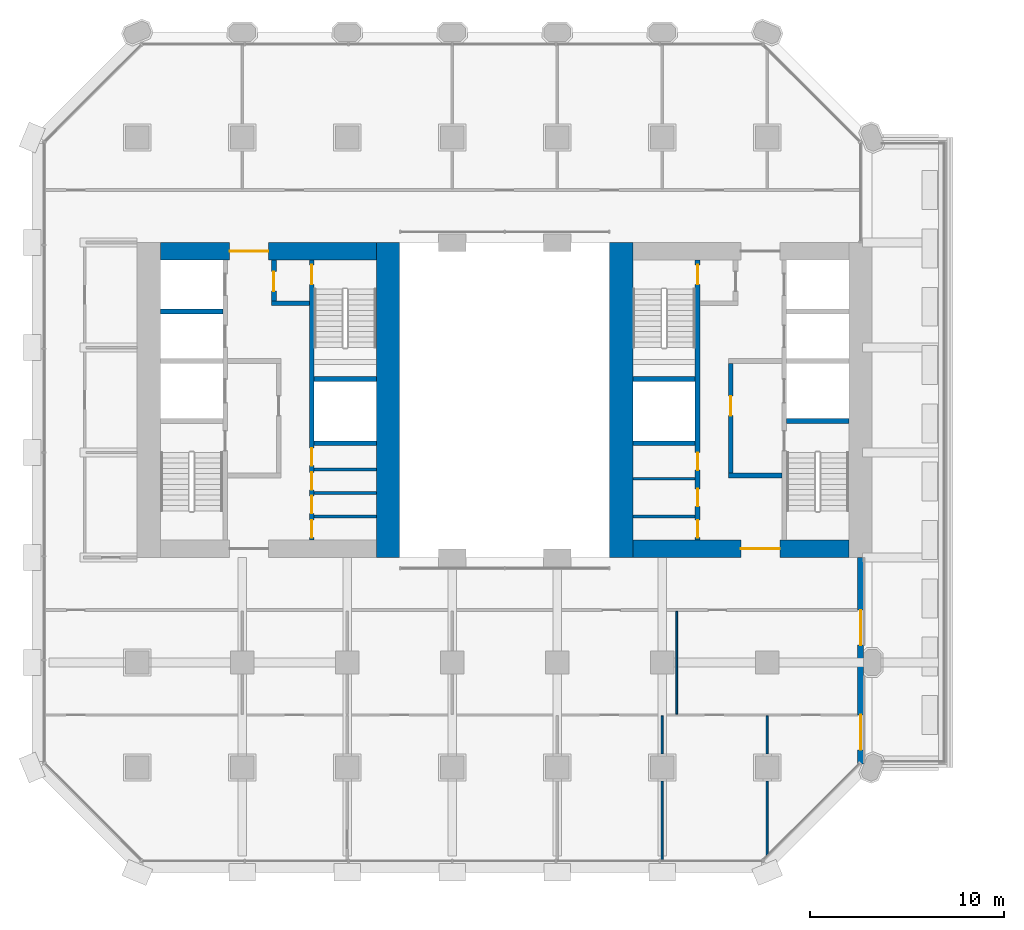
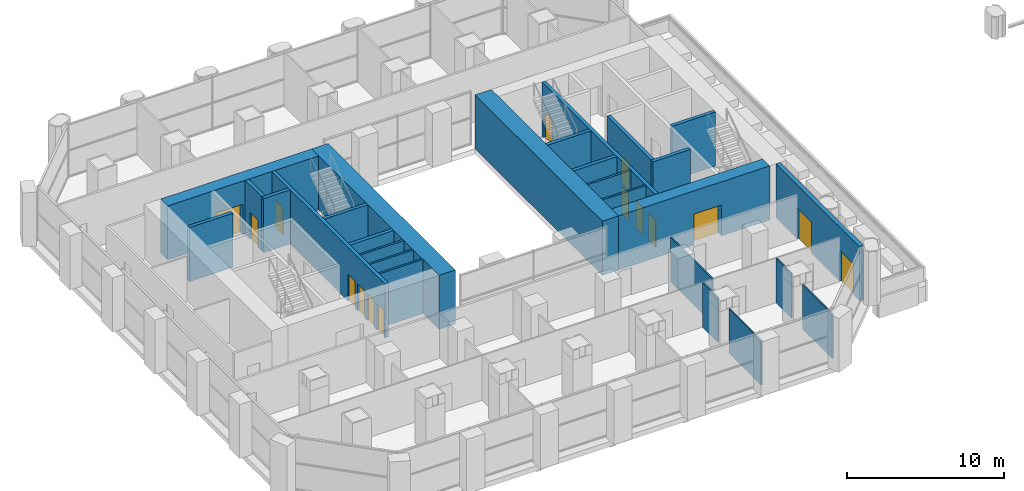
# One storey, part 13 of 23: 27 walls, 15 doors, 15 openings.
"""IFC4 building model written with IfcOpenShell, lengths in metres."""

from ifc_helpers import new_model, si_unit, direction, frame, frame_2d, origin, place, context, subcontext, project, spatial, rectangle, extrude, material, layer, layer_set, type_object, element, fill, save


model = new_model("IFC4")

# Units and contexts
model_context = context("Model", 3, precision=1e-05, world=origin(), true_north=direction((0.0, 1.0)))
body_context = subcontext(model_context, "Body", "Model", "MODEL_VIEW")
ifc_project = project(units=[si_unit("LENGTHUNIT", "METRE"), si_unit("AREAUNIT", "SQUARE_METRE"), si_unit("VOLUMEUNIT", "CUBIC_METRE"), si_unit("PLANEANGLEUNIT", "RADIAN"), si_unit("MASSUNIT", "GRAM", prefix="KILO")], contexts=[model_context])

# Site, building, storey
site_placement = place(None, origin())
site = spatial("IfcSite", under=ifc_project, at=site_placement, CompositionType="ELEMENT")
building_placement = place(site_placement, origin())
building = spatial("IfcBuilding", under=site, at=building_placement, Name="Tabaq Tower and Sports Hall", CompositionType="ELEMENT")
storey_placement = place(building_placement, frame((0.0, 0.0, 29.10009765625)))
storey = spatial("IfcBuildingStorey", under=building, at=storey_placement, Name="L05", CompositionType="ELEMENT", Elevation=29.10009765625)

# Walls
ifc_material_1 = material(Name="Blockwork", Category="masonry")
ifc_layer_1 = layer(ifc_material_1, 0.14990234375)
ifc_layer_set_1 = layer_set([ifc_layer_1], Name="Core room partition 150 Blockwork")
wall_type_1 = type_object("IfcWallType", Name="Core room partition 150 Blockwork", PredefinedType="PARTITIONING", material=ifc_layer_set_1)
for number, where, z_axis, x_axis, name in (
    (1, (14.5, 18.31201171875, 0.0), (0.0, 0.0, 1.0), (1.0, 0.0, 0.0), "Core room partition W L05"),
    (2, (14.5, 19.52490234375, 0.0), (0.0, 0.0, 1.0), (1.0, 0.0, 0.0), "Core room partition W L05"),
    (3, (14.5, 20.737060546875, 0.0), (0.0, 0.0, 1.0), (1.0, 0.0, 0.0), "Core room partition W L05"),
):
    element("IfcWall", number, at=place(storey_placement, frame(where, z_axis=z_axis, x_axis=x_axis)), inside=storey, type_object=wall_type_1, Name=name, PredefinedType="PARTITIONING", context=body_context, shape_type="SweptSolid", body=[
        extrude(rectangle(XDim=3.199951171875, YDim=0.14990234375, at=frame_2d((1.60009765625, 0.0))), origin(), (0.0, 0.0, 1.0), 4.199951171875),
    ])
for number, where, z_axis, x_axis, name in (
    (4, (30.89990234375, 18.31201171875, 0.0), (0.0, 0.0, 1.0), (1.0, 0.0, 0.0), "Core room partition E L05"),
    (5, (30.89990234375, 20.251953125, 0.0), (0.0, 0.0, 1.0), (1.0, 0.0, 0.0), "Core room partition E L05"),
):
    element("IfcWall", number, at=place(storey_placement, frame(where, z_axis=z_axis, x_axis=x_axis)), inside=storey, type_object=wall_type_1, Name=name, PredefinedType="PARTITIONING", context=body_context, shape_type="SweptSolid", body=[
        extrude(rectangle(XDim=3.2001953125, YDim=0.14990234375, at=frame_2d((1.60009765625, 0.0))), origin(), (0.0, 0.0, 1.0), 4.199951171875),
    ])
ifc_material_2 = material(Name="Concrete C60/75", Category="concrete")
ifc_layer_2 = layer(ifc_material_2, 1.199951171875)
ifc_layer_set_2 = layer_set([ifc_layer_2], Name="Core wall 1200 Concrete C60/75")
wall_type_2 = type_object("IfcWallType", Name="Core wall 1200 Concrete C60/75", PredefinedType="SOLIDWALL", material=ifc_layer_set_2)
for number, where, z_axis, x_axis, name in (
    (6, (18.300048828125, 32.39990234375, 0.0), (0.0, 0.0, 1.0), (0.0, -1.0, 0.0), "Core wall W L05"),
    (7, (30.300048828125, 16.199951171875, 0.0), (0.0, 0.0, 1.0), (0.0, 1.0, 0.0), "Core wall E L05"),
):
    element("IfcWall", number, at=place(storey_placement, frame(where, z_axis=z_axis, x_axis=x_axis)), inside=storey, type_object=wall_type_2, Name=name, PredefinedType="SOLIDWALL", context=body_context, shape_type="SweptSolid", body=[
        extrude(rectangle(XDim=16.199951171875, YDim=1.199951171875, at=frame_2d((8.10009765625, 0.0))), origin(), (0.0, 0.0, 1.0), 4.199951171875),
    ])

# Wall, opening, door
ifc_material_3 = material(Name="Concrete C60/75", Category="concrete")
ifc_layer_3 = layer(ifc_material_3, 0.89990234375)
ifc_layer_set_3 = layer_set([ifc_layer_3], Name="Core wall 900 Concrete C60/75")
wall_type_3 = type_object("IfcWallType", Name="Core wall 900 Concrete C60/75", PredefinedType="SOLIDWALL", material=ifc_layer_set_3)
wall_1_placement = place(storey_placement, frame((6.60009765625, 31.949951171875, 0.0), z_axis=(0.0, 0.0, 1.0), x_axis=(1.0, 0.0, 0.0)))
wall_1 = element("IfcWall", 8, at=wall_1_placement, inside=storey, type_object=wall_type_3, Name="Core wall W L05", PredefinedType="SOLIDWALL", context=body_context, shape_type="SweptSolid", body=[
    extrude(rectangle(XDim=11.099853515625, YDim=0.89990234375, at=frame_2d((5.5498046875, 0.0))), origin(), (0.0, 0.0, 1.0), 4.199951171875),
])
opening_1_placement = place(wall_1_placement, frame((3.550048828125, 0.0, 0.0)))
opening_1 = element("IfcOpeningElement", 9, at=opening_1_placement, cuts=wall_1, Name="Opening PD-WL05-02", PredefinedType="OPENING", context=body_context, shape_type="SweptSolid", body=[
    extrude(rectangle(XDim=2.0, YDim=2.39990234375, at=frame_2d((1.0, 1.199951171875))), frame((0.0, 0.449951171875, 0.0), z_axis=(0.0, -1.0, 0.0), x_axis=(1.0, 0.0, 0.0)), (0.0, 0.0, 1.0), 0.89990234375),
])
ifc_material_4 = material(Name="Steel fire door", Category="steel")
door_type_1 = type_object("IfcDoorType", Name="Core entrance door 2000", OperationType="DOUBLE_DOOR_SINGLE_SWING", PredefinedType="DOOR", material=ifc_material_4)
door_1_placement = place(opening_1_placement, origin())
door_1 = element("IfcDoor", 10, at=door_1_placement, inside=storey, type_object=door_type_1, Name="Core entrance north W L05", OperationType="DOUBLE_DOOR_SINGLE_SWING", OverallHeight=2.39990234375, OverallWidth=2.0, PredefinedType="DOOR", context=body_context, shape_type="SweptSolid", body=[
    extrude(rectangle(XDim=2.0, YDim=2.39990234375, at=frame_2d((1.0, 1.199951171875))), frame((0.0, 0.02490234375, 0.0), z_axis=(0.0, -1.0, 0.0), x_axis=(1.0, 0.0, 0.0)), (0.0, 0.0, 1.0), 0.050048828125),
])
fill(opening_1, door_1)

wall_2_placement = place(storey_placement, frame((42.0, 16.64990234375, 0.0), z_axis=(0.0, 0.0, 1.0), x_axis=(-1.0, 0.0, 0.0)))
wall_2 = element("IfcWall", 11, at=wall_2_placement, inside=storey, type_object=wall_type_3, Name="Core wall E L05", PredefinedType="SOLIDWALL", context=body_context, shape_type="SweptSolid", body=[
    extrude(rectangle(XDim=11.10009765625, YDim=0.89990234375, at=frame_2d((5.550048828125, 0.0))), origin(), (0.0, 0.0, 1.0), 4.199951171875),
])
opening_2_placement = place(wall_2_placement, frame((3.550048828125, 0.0, 0.0)))
opening_2 = element("IfcOpeningElement", 12, at=opening_2_placement, cuts=wall_2, Name="Opening PD-EL05-01", PredefinedType="OPENING", context=body_context, shape_type="SweptSolid", body=[
    extrude(rectangle(XDim=2.0, YDim=2.39990234375, at=frame_2d((1.0, 1.199951171875))), frame((0.0, 0.449951171875, 0.0), z_axis=(0.0, -1.0, 0.0), x_axis=(1.0, 0.0, 0.0)), (0.0, 0.0, 1.0), 0.89990234375),
])
door_2_placement = place(opening_2_placement, origin())
door_2 = element("IfcDoor", 13, at=door_2_placement, inside=storey, type_object=door_type_1, Name="Core entrance south E L05", OperationType="DOUBLE_DOOR_SINGLE_SWING", OverallHeight=2.39990234375, OverallWidth=2.0, PredefinedType="DOOR", context=body_context, shape_type="SweptSolid", body=[
    extrude(rectangle(XDim=2.0, YDim=2.39990234375, at=frame_2d((1.0, 1.199951171875))), frame((0.0, 0.02490234375, 0.0), z_axis=(0.0, -1.0, 0.0), x_axis=(1.0, 0.0, 0.0)), (0.0, 0.0, 1.0), 0.050048828125),
])
fill(opening_2, door_2)

# Walls
ifc_material_5 = material(Name="Gypsum board on steel studs", Category="steel")
ifc_layer_4 = layer(ifc_material_5, 0.10009765625)
ifc_layer_set_4 = layer_set([ifc_layer_4], Name="Partition 100 Gypsum board")
wall_type_4 = type_object("IfcWallType", Name="Partition 100 Gypsum board", PredefinedType="PARTITIONING", material=ifc_layer_set_4)
wall_3_placement = place(storey_placement, frame((33.14990234375, 13.425048828125, 0.0), z_axis=(0.0, 0.0, 1.0), x_axis=(0.0, -1.0, 0.0)))
element("IfcWall", 14, at=wall_3_placement, inside=storey, type_object=wall_type_4, Name="Partition wall L05", PredefinedType="PARTITIONING", context=body_context, shape_type="SweptSolid", body=[
    extrude(rectangle(XDim=5.275146484375, YDim=0.10009765625, at=frame_2d((2.6376953125, 0.0))), origin(), (0.0, 0.0, 1.0), 3.449951171875),
])
wall_4_placement = place(storey_placement, frame((32.39990234375, 0.60009765625, 0.0), z_axis=(0.0, 0.0, 1.0), x_axis=(0.0, 1.0, 0.0)))
element("IfcWall", 15, at=wall_4_placement, inside=storey, type_object=wall_type_4, Name="Partition wall L05", PredefinedType="PARTITIONING", context=body_context, shape_type="SweptSolid", body=[
    extrude(rectangle(XDim=4.09912109375, YDim=0.10009765625, at=frame_2d((2.049560546875, 0.0))), origin(), (0.0, 0.0, 1.0), 3.449951171875),
])
wall_5_placement = place(storey_placement, frame((32.39990234375, 6.1005859375, 0.0), z_axis=(0.0, 0.0, 1.0), x_axis=(0.0, 1.0, 0.0)))
element("IfcWall", 16, at=wall_5_placement, inside=storey, type_object=wall_type_4, Name="Partition wall L05", PredefinedType="PARTITIONING", context=body_context, shape_type="SweptSolid", body=[
    extrude(rectangle(XDim=1.949462890625, YDim=0.10009765625, at=frame_2d((0.974609375, 0.0))), origin(), (0.0, 0.0, 1.0), 3.449951171875),
])
wall_6_placement = place(storey_placement, frame((37.800048828125, 0.8984375, 0.0), z_axis=(0.0, 0.0, 1.0), x_axis=(0.0, 1.0, 0.0)))
element("IfcWall", 17, at=wall_6_placement, inside=storey, type_object=wall_type_4, Name="Partition wall L05", PredefinedType="PARTITIONING", context=body_context, shape_type="SweptSolid", body=[
    extrude(rectangle(XDim=3.80078125, YDim=0.10009765625, at=frame_2d((1.900390625, 0.0))), origin(), (0.0, 0.0, 1.0), 3.449951171875),
])
wall_7_placement = place(storey_placement, frame((37.800048828125, 6.1005859375, 0.0), z_axis=(0.0, 0.0, 1.0), x_axis=(0.0, 1.0, 0.0)))
element("IfcWall", 18, at=wall_7_placement, inside=storey, type_object=wall_type_4, Name="Partition wall L05", PredefinedType="PARTITIONING", context=body_context, shape_type="SweptSolid", body=[
    extrude(rectangle(XDim=1.949462890625, YDim=0.10009765625, at=frame_2d((0.974609375, 0.0))), origin(), (0.0, 0.0, 1.0), 3.449951171875),
])

# Wall, openings, doors
ifc_material_6 = material(Name="Concrete C40/50", Category="concrete")
ifc_layer_5 = layer(ifc_material_6, 0.25)
ifc_layer_set_5 = layer_set([ifc_layer_5], Name="Shaft and stair wall 250 Concrete C40/50")
wall_type_5 = type_object("IfcWallType", Name="Shaft and stair wall 250 Concrete C40/50", PredefinedType="SOLIDWALL", material=ifc_layer_set_5)
wall_8_placement = place(storey_placement, frame((14.375, 17.10009765625, 0.0), z_axis=(0.0, 0.0, 1.0), x_axis=(0.0, 1.0, 0.0)))
wall_8 = element("IfcWall", 19, at=wall_8_placement, inside=storey, type_object=wall_type_5, Name="Shaft wall W L05", PredefinedType="SOLIDWALL", context=body_context, shape_type="SweptSolid", body=[
    extrude(rectangle(XDim=14.39990234375, YDim=0.25, at=frame_2d((7.199951171875, 0.0))), origin(), (0.0, 0.0, 1.0), 4.199951171875),
])
opening_3_placement = place(wall_8_placement, frame((13.14990234375, 0.0, 0.0)))
opening_3 = element("IfcOpeningElement", 20, at=opening_3_placement, cuts=wall_8, Name="Opening SD-WL05-05", PredefinedType="OPENING", context=body_context, shape_type="SweptSolid", body=[
    extrude(rectangle(XDim=1.0, YDim=2.10009765625, at=frame_2d((0.5, 1.050048828125))), frame((0.0, 0.125, 0.0), z_axis=(0.0, -1.0, 0.0), x_axis=(1.0, 0.0, 0.0)), (0.0, 0.0, 1.0), 0.25),
])
opening_4_placement = place(wall_8_placement, frame((0.118408203125, 0.0, 0.0)))
opening_4 = element("IfcOpeningElement", 21, at=opening_4_placement, cuts=wall_8, Name="Opening RD-WL05-10", PredefinedType="OPENING", context=body_context, shape_type="SweptSolid", body=[
    extrude(rectangle(XDim=0.89990234375, YDim=2.10009765625, at=frame_2d((0.449951171875, 1.050048828125))), frame((0.0, 0.125, 0.0), z_axis=(0.0, -1.0, 0.0), x_axis=(1.0, 0.0, 0.0)), (0.0, 0.0, 1.0), 0.25),
])
opening_5_placement = place(wall_8_placement, frame((1.368408203125, 0.0, 0.0)))
opening_5 = element("IfcOpeningElement", 22, at=opening_5_placement, cuts=wall_8, Name="Opening RD-WL05-11", PredefinedType="OPENING", context=body_context, shape_type="SweptSolid", body=[
    extrude(rectangle(XDim=0.89990234375, YDim=2.10009765625, at=frame_2d((0.449951171875, 1.050048828125))), frame((0.0, 0.125, 0.0), z_axis=(0.0, -1.0, 0.0), x_axis=(1.0, 0.0, 0.0)), (0.0, 0.0, 1.0), 0.25),
])
opening_6_placement = place(wall_8_placement, frame((2.5810546875, 0.0, 0.0)))
opening_6 = element("IfcOpeningElement", 23, at=opening_6_placement, cuts=wall_8, Name="Opening RD-WL05-12", PredefinedType="OPENING", context=body_context, shape_type="SweptSolid", body=[
    extrude(rectangle(XDim=0.89990234375, YDim=2.10009765625, at=frame_2d((0.449951171875, 1.050048828125))), frame((0.0, 0.125, 0.0), z_axis=(0.0, -1.0, 0.0), x_axis=(1.0, 0.0, 0.0)), (0.0, 0.0, 1.0), 0.25),
])
opening_7_placement = place(wall_8_placement, frame((3.8310546875, 0.0, 0.0)))
opening_7 = element("IfcOpeningElement", 24, at=opening_7_placement, cuts=wall_8, Name="Opening RD-WL05-13", PredefinedType="OPENING", context=body_context, shape_type="SweptSolid", body=[
    extrude(rectangle(XDim=0.89990234375, YDim=2.10009765625, at=frame_2d((0.449951171875, 1.050048828125))), frame((0.0, 0.125, 0.0), z_axis=(0.0, -1.0, 0.0), x_axis=(1.0, 0.0, 0.0)), (0.0, 0.0, 1.0), 0.25),
])
ifc_material_7 = material(Name="Steel fire door", Category="steel")
door_type_2 = type_object("IfcDoorType", Name="Core room door 900", OperationType="SINGLE_SWING_LEFT", PredefinedType="DOOR", material=ifc_material_7)
door_3_placement = place(opening_4_placement, origin())
door_3 = element("IfcDoor", 25, at=door_3_placement, inside=storey, type_object=door_type_2, Name="Door Cleaner's Store W L05", OperationType="SINGLE_SWING_LEFT", OverallHeight=2.10009765625, OverallWidth=0.89990234375, PredefinedType="DOOR", context=body_context, shape_type="SweptSolid", body=[
    extrude(rectangle(XDim=0.89990234375, YDim=2.10009765625, at=frame_2d((0.449951171875, 1.050048828125))), frame((0.0, 0.02490234375, 0.0), z_axis=(0.0, -1.0, 0.0), x_axis=(1.0, 0.0, 0.0)), (0.0, 0.0, 1.0), 0.050048828125),
])
fill(opening_4, door_3)
door_4_placement = place(opening_5_placement, origin())
door_4 = element("IfcDoor", 26, at=door_4_placement, inside=storey, type_object=door_type_2, Name="Door Gents WC W L05", OperationType="SINGLE_SWING_LEFT", OverallHeight=2.10009765625, OverallWidth=0.89990234375, PredefinedType="DOOR", context=body_context, shape_type="SweptSolid", body=[
    extrude(rectangle(XDim=0.89990234375, YDim=2.10009765625, at=frame_2d((0.449951171875, 1.050048828125))), frame((0.0, 0.02490234375, 0.0), z_axis=(0.0, -1.0, 0.0), x_axis=(1.0, 0.0, 0.0)), (0.0, 0.0, 1.0), 0.050048828125),
])
fill(opening_5, door_4)
door_5_placement = place(opening_6_placement, origin())
door_5 = element("IfcDoor", 27, at=door_5_placement, inside=storey, type_object=door_type_2, Name="Door Ladies WC W L05", OperationType="SINGLE_SWING_LEFT", OverallHeight=2.10009765625, OverallWidth=0.89990234375, PredefinedType="DOOR", context=body_context, shape_type="SweptSolid", body=[
    extrude(rectangle(XDim=0.89990234375, YDim=2.10009765625, at=frame_2d((0.449951171875, 1.050048828125))), frame((0.0, 0.02490234375, 0.0), z_axis=(0.0, -1.0, 0.0), x_axis=(1.0, 0.0, 0.0)), (0.0, 0.0, 1.0), 0.050048828125),
])
fill(opening_6, door_5)
door_6_placement = place(opening_7_placement, origin())
door_6 = element("IfcDoor", 28, at=door_6_placement, inside=storey, type_object=door_type_2, Name="Door Accessible WC W L05", OperationType="SINGLE_SWING_LEFT", OverallHeight=2.10009765625, OverallWidth=0.89990234375, PredefinedType="DOOR", context=body_context, shape_type="SweptSolid", body=[
    extrude(rectangle(XDim=0.89990234375, YDim=2.10009765625, at=frame_2d((0.449951171875, 1.050048828125))), frame((0.0, 0.02490234375, 0.0), z_axis=(0.0, -1.0, 0.0), x_axis=(1.0, 0.0, 0.0)), (0.0, 0.0, 1.0), 0.050048828125),
])
fill(opening_7, door_6)
ifc_material_8 = material(Name="Steel fire door", Category="steel")
door_type_3 = type_object("IfcDoorType", Name="Stair door 1000", OperationType="SINGLE_SWING_LEFT", PredefinedType="DOOR", material=ifc_material_8)
door_7_placement = place(opening_3_placement, origin())
door_7 = element("IfcDoor", 29, at=door_7_placement, inside=storey, type_object=door_type_3, Name="Stair door ST2 W L05", OperationType="SINGLE_SWING_LEFT", OverallHeight=2.10009765625, OverallWidth=1.0, PredefinedType="DOOR", context=body_context, shape_type="SweptSolid", body=[
    extrude(rectangle(XDim=1.0, YDim=2.10009765625, at=frame_2d((0.5, 1.050048828125))), frame((0.0, 0.02490234375, 0.0), z_axis=(0.0, -1.0, 0.0), x_axis=(1.0, 0.0, 0.0)), (0.0, 0.0, 1.0), 0.050048828125),
])
fill(opening_3, door_7)

# Walls
for number, where, z_axis, x_axis, name in (
    (30, (14.5, 25.375, 0.0), (0.0, 0.0, 1.0), (1.0, 0.0, 0.0), "Stair enclosure wall W L05"),
    (31, (14.5, 22.074951171875, 0.0), (0.0, 0.0, 1.0), (1.0, 0.0, 0.0), "Shaft wall W L05"),
):
    element("IfcWall", number, at=place(storey_placement, frame(where, z_axis=z_axis, x_axis=x_axis)), inside=storey, type_object=wall_type_5, Name=name, PredefinedType="SOLIDWALL", context=body_context, shape_type="SweptSolid", body=[
        extrude(rectangle(XDim=3.199951171875, YDim=0.25, at=frame_2d((1.60009765625, 0.0))), origin(), (0.0, 0.0, 1.0), 4.199951171875),
    ])

# Wall, opening, door
wall_9_placement = place(storey_placement, frame((12.425048828125, 29.39990234375, 0.0), z_axis=(0.0, 0.0, 1.0), x_axis=(0.0, 1.0, 0.0)))
wall_9 = element("IfcWall", 32, at=wall_9_placement, inside=storey, type_object=wall_type_5, Name="Fire-fighting lobby wall W L05", PredefinedType="SOLIDWALL", context=body_context, shape_type="SweptSolid", body=[
    extrude(rectangle(XDim=2.10009765625, YDim=0.25, at=frame_2d((1.050048828125, 0.0))), origin(), (0.0, 0.0, 1.0), 4.199951171875),
])
opening_8_placement = place(wall_9_placement, frame((0.5, 0.0, 0.0)))
opening_8 = element("IfcOpeningElement", 33, at=opening_8_placement, cuts=wall_9, Name="Opening FD-WL05-06", PredefinedType="OPENING", context=body_context, shape_type="SweptSolid", body=[
    extrude(rectangle(XDim=1.0, YDim=2.10009765625, at=frame_2d((0.5, 1.050048828125))), frame((0.0, 0.125, 0.0), z_axis=(0.0, -1.0, 0.0), x_axis=(1.0, 0.0, 0.0)), (0.0, 0.0, 1.0), 0.25),
])
ifc_material_9 = material(Name="Steel fire door", Category="steel")
door_type_4 = type_object("IfcDoorType", Name="Fire-fighting lobby door 1000", OperationType="SINGLE_SWING_LEFT", PredefinedType="DOOR", material=ifc_material_9)
door_8_placement = place(opening_8_placement, origin())
door_8 = element("IfcDoor", 34, at=door_8_placement, inside=storey, type_object=door_type_4, Name="Stair lobby door W L05", OperationType="SINGLE_SWING_LEFT", OverallHeight=2.10009765625, OverallWidth=1.0, PredefinedType="DOOR", context=body_context, shape_type="SweptSolid", body=[
    extrude(rectangle(XDim=1.0, YDim=2.10009765625, at=frame_2d((0.5, 1.050048828125))), frame((0.0, 0.02490234375, 0.0), z_axis=(0.0, -1.0, 0.0), x_axis=(1.0, 0.0, 0.0)), (0.0, 0.0, 1.0), 0.050048828125),
])
fill(opening_8, door_8)

# Walls
wall_10_placement = place(storey_placement, frame((12.300048828125, 29.27490234375, 0.0), z_axis=(0.0, 0.0, 1.0), x_axis=(1.0, 0.0, 0.0)))
element("IfcWall", 35, at=wall_10_placement, inside=storey, type_object=wall_type_5, Name="Fire-fighting lobby wall W L05", PredefinedType="SOLIDWALL", context=body_context, shape_type="SweptSolid", body=[
    extrude(rectangle(XDim=1.949951171875, YDim=0.25, at=frame_2d((0.97509765625, 0.0))), origin(), (0.0, 0.0, 1.0), 4.199951171875),
])
wall_11_placement = place(storey_placement, frame((6.60009765625, 28.85009765625, 0.0), z_axis=(0.0, 0.0, 1.0), x_axis=(1.0, 0.0, 0.0)))
element("IfcWall", 36, at=wall_11_placement, inside=storey, type_object=wall_type_5, Name="Shaft wall W L05", PredefinedType="SOLIDWALL", context=body_context, shape_type="SweptSolid", body=[
    extrude(rectangle(XDim=3.199951171875, YDim=0.25, at=frame_2d((1.60009765625, 0.0))), origin(), (0.0, 0.0, 1.0), 4.199951171875),
])

# Wall, openings, doors
wall_12_placement = place(storey_placement, frame((34.22509765625, 17.10009765625, 0.0), z_axis=(0.0, 0.0, 1.0), x_axis=(0.0, 1.0, 0.0)))
wall_12 = element("IfcWall", 37, at=wall_12_placement, inside=storey, type_object=wall_type_5, Name="Shaft wall E L05", PredefinedType="SOLIDWALL", context=body_context, shape_type="SweptSolid", body=[
    extrude(rectangle(XDim=14.39990234375, YDim=0.25, at=frame_2d((7.199951171875, 0.0))), origin(), (0.0, 0.0, 1.0), 4.199951171875),
])
opening_9_placement = place(wall_12_placement, frame((13.14990234375, 0.0, 0.0)))
opening_9 = element("IfcOpeningElement", 38, at=opening_9_placement, cuts=wall_12, Name="Opening SD-EL05-05", PredefinedType="OPENING", context=body_context, shape_type="SweptSolid", body=[
    extrude(rectangle(XDim=1.0, YDim=2.10009765625, at=frame_2d((0.5, 1.050048828125))), frame((0.0, 0.125, 0.0), z_axis=(0.0, -1.0, 0.0), x_axis=(1.0, 0.0, 0.0)), (0.0, 0.0, 1.0), 0.25),
])
opening_10_placement = place(wall_12_placement, frame((0.118408203125, 0.0, 0.0)))
opening_10 = element("IfcOpeningElement", 39, at=opening_10_placement, cuts=wall_12, Name="Opening RD-EL05-10", PredefinedType="OPENING", context=body_context, shape_type="SweptSolid", body=[
    extrude(rectangle(XDim=0.89990234375, YDim=2.10009765625, at=frame_2d((0.449951171875, 1.050048828125))), frame((0.0, 0.125, 0.0), z_axis=(0.0, -1.0, 0.0), x_axis=(1.0, 0.0, 0.0)), (0.0, 0.0, 1.0), 0.25),
])
opening_11_placement = place(wall_12_placement, frame((1.73193359375, 0.0, 0.0)))
opening_11 = element("IfcOpeningElement", 40, at=opening_11_placement, cuts=wall_12, Name="Opening RD-EL05-11", PredefinedType="OPENING", context=body_context, shape_type="SweptSolid", body=[
    extrude(rectangle(XDim=0.89990234375, YDim=2.10009765625, at=frame_2d((0.449951171875, 1.050048828125))), frame((0.0, 0.125, 0.0), z_axis=(0.0, -1.0, 0.0), x_axis=(1.0, 0.0, 0.0)), (0.0, 0.0, 1.0), 0.25),
])
opening_12_placement = place(wall_12_placement, frame((3.58837890625, 0.0, 0.0)))
opening_12 = element("IfcOpeningElement", 41, at=opening_12_placement, cuts=wall_12, Name="Opening RD-EL05-12", PredefinedType="OPENING", context=body_context, shape_type="SweptSolid", body=[
    extrude(rectangle(XDim=0.89990234375, YDim=2.10009765625, at=frame_2d((0.449951171875, 1.050048828125))), frame((0.0, 0.125, 0.0), z_axis=(0.0, -1.0, 0.0), x_axis=(1.0, 0.0, 0.0)), (0.0, 0.0, 1.0), 0.25),
])
door_9_placement = place(opening_10_placement, origin())
door_9 = element("IfcDoor", 42, at=door_9_placement, inside=storey, type_object=door_type_2, Name="Door Electrical Riser Room E L05", OperationType="SINGLE_SWING_LEFT", OverallHeight=2.10009765625, OverallWidth=0.89990234375, PredefinedType="DOOR", context=body_context, shape_type="SweptSolid", body=[
    extrude(rectangle(XDim=0.89990234375, YDim=2.10009765625, at=frame_2d((0.449951171875, 1.050048828125))), frame((0.0, 0.02490234375, 0.0), z_axis=(0.0, -1.0, 0.0), x_axis=(1.0, 0.0, 0.0)), (0.0, 0.0, 1.0), 0.050048828125),
])
fill(opening_10, door_9)
door_10_placement = place(opening_11_placement, origin())
door_10 = element("IfcDoor", 43, at=door_10_placement, inside=storey, type_object=door_type_2, Name="Door Unisex WC E L05", OperationType="SINGLE_SWING_LEFT", OverallHeight=2.10009765625, OverallWidth=0.89990234375, PredefinedType="DOOR", context=body_context, shape_type="SweptSolid", body=[
    extrude(rectangle(XDim=0.89990234375, YDim=2.10009765625, at=frame_2d((0.449951171875, 1.050048828125))), frame((0.0, 0.02490234375, 0.0), z_axis=(0.0, -1.0, 0.0), x_axis=(1.0, 0.0, 0.0)), (0.0, 0.0, 1.0), 0.050048828125),
])
fill(opening_11, door_10)
door_11_placement = place(opening_12_placement, origin())
door_11 = element("IfcDoor", 44, at=door_11_placement, inside=storey, type_object=door_type_2, Name="Door Accessible WC E L05", OperationType="SINGLE_SWING_LEFT", OverallHeight=2.10009765625, OverallWidth=0.89990234375, PredefinedType="DOOR", context=body_context, shape_type="SweptSolid", body=[
    extrude(rectangle(XDim=0.89990234375, YDim=2.10009765625, at=frame_2d((0.449951171875, 1.050048828125))), frame((0.0, 0.02490234375, 0.0), z_axis=(0.0, -1.0, 0.0), x_axis=(1.0, 0.0, 0.0)), (0.0, 0.0, 1.0), 0.050048828125),
])
fill(opening_12, door_11)
door_12_placement = place(opening_9_placement, origin())
door_12 = element("IfcDoor", 45, at=door_12_placement, inside=storey, type_object=door_type_3, Name="Stair door ST4 E L05", OperationType="SINGLE_SWING_LEFT", OverallHeight=2.10009765625, OverallWidth=1.0, PredefinedType="DOOR", context=body_context, shape_type="SweptSolid", body=[
    extrude(rectangle(XDim=1.0, YDim=2.10009765625, at=frame_2d((0.5, 1.050048828125))), frame((0.0, 0.02490234375, 0.0), z_axis=(0.0, -1.0, 0.0), x_axis=(1.0, 0.0, 0.0)), (0.0, 0.0, 1.0), 0.050048828125),
])
fill(opening_9, door_12)

# Walls
wall_13_placement = place(storey_placement, frame((38.800048828125, 23.22509765625, 0.0), z_axis=(0.0, 0.0, 1.0), x_axis=(1.0, 0.0, 0.0)))
element("IfcWall", 46, at=wall_13_placement, inside=storey, type_object=wall_type_5, Name="Stair enclosure wall E L05", PredefinedType="SOLIDWALL", context=body_context, shape_type="SweptSolid", body=[
    extrude(rectangle(XDim=3.199951171875, YDim=0.25, at=frame_2d((1.60009765625, 0.0))), origin(), (0.0, 0.0, 1.0), 4.199951171875),
])
for number, where, z_axis, x_axis, name in (
    (47, (30.89990234375, 25.375, 0.0), (0.0, 0.0, 1.0), (1.0, 0.0, 0.0), "Stair enclosure wall E L05"),
    (48, (30.89990234375, 22.074951171875, 0.0), (0.0, 0.0, 1.0), (1.0, 0.0, 0.0), "Shaft wall E L05"),
):
    element("IfcWall", number, at=place(storey_placement, frame(where, z_axis=z_axis, x_axis=x_axis)), inside=storey, type_object=wall_type_5, Name=name, PredefinedType="SOLIDWALL", context=body_context, shape_type="SweptSolid", body=[
        extrude(rectangle(XDim=3.2001953125, YDim=0.25, at=frame_2d((1.60009765625, 0.0))), origin(), (0.0, 0.0, 1.0), 4.199951171875),
    ])
wall_14_placement = place(storey_placement, frame((35.800048828125, 20.425048828125, 0.0), z_axis=(0.0, 0.0, 1.0), x_axis=(1.0, 0.0, 0.0)))
element("IfcWall", 49, at=wall_14_placement, inside=storey, type_object=wall_type_5, Name="Fire-fighting lobby wall E L05", PredefinedType="SOLIDWALL", context=body_context, shape_type="SweptSolid", body=[
    extrude(rectangle(XDim=2.75, YDim=0.25, at=frame_2d((1.375, 0.0))), origin(), (0.0, 0.0, 1.0), 4.199951171875),
])

# Wall, opening, door
wall_15_placement = place(storey_placement, frame((35.925048828125, 20.550048828125, 0.0), z_axis=(0.0, 0.0, 1.0), x_axis=(0.0, 1.0, 0.0)))
wall_15 = element("IfcWall", 50, at=wall_15_placement, inside=storey, type_object=wall_type_5, Name="Fire-fighting lobby wall E L05", PredefinedType="SOLIDWALL", context=body_context, shape_type="SweptSolid", body=[
    extrude(rectangle(XDim=5.625, YDim=0.25, at=frame_2d((2.8125, 0.0))), origin(), (0.0, 0.0, 1.0), 4.199951171875),
])
opening_13_placement = place(wall_15_placement, frame((2.949951171875, 0.0, 0.0)))
opening_13 = element("IfcOpeningElement", 51, at=opening_13_placement, cuts=wall_15, Name="Opening FD-EL05-04", PredefinedType="OPENING", context=body_context, shape_type="SweptSolid", body=[
    extrude(rectangle(XDim=1.0, YDim=2.10009765625, at=frame_2d((0.5, 1.050048828125))), frame((0.0, 0.125, 0.0), z_axis=(0.0, -1.0, 0.0), x_axis=(1.0, 0.0, 0.0)), (0.0, 0.0, 1.0), 0.25),
])
door_13_placement = place(opening_13_placement, origin())
door_13 = element("IfcDoor", 52, at=door_13_placement, inside=storey, type_object=door_type_4, Name="Fire-fighting lobby door E L05", OperationType="SINGLE_SWING_LEFT", OverallHeight=2.10009765625, OverallWidth=1.0, PredefinedType="DOOR", context=body_context, shape_type="SweptSolid", body=[
    extrude(rectangle(XDim=1.0, YDim=2.10009765625, at=frame_2d((0.5, 1.050048828125))), frame((0.0, 0.02490234375, 0.0), z_axis=(0.0, -1.0, 0.0), x_axis=(1.0, 0.0, 0.0)), (0.0, 0.0, 1.0), 0.050048828125),
])
fill(opening_13, door_13)

# Wall, openings, doors
ifc_material_10 = material(Name="White precast concrete C60/75", Category="concrete")
ifc_layer_6 = layer(ifc_material_10, 0.300048828125)
ifc_layer_set_6 = layer_set([ifc_layer_6], Name="White precast concrete C60/75 external wall 300")
wall_type_6 = type_object("IfcWallType", Name="White precast concrete C60/75 external wall 300", PredefinedType="SOLIDWALL", material=ifc_layer_set_6)
wall_16_placement = place(storey_placement, frame((42.60009765625, 5.58642578125, 0.0), z_axis=(0.0, 0.0, 1.0), x_axis=(0.0, 1.0, 0.0)))
wall_16 = element("IfcWall", 53, at=wall_16_placement, inside=storey, type_object=wall_type_6, Name="External Wall L05 E", PredefinedType="SOLIDWALL", context=body_context, shape_type="SweptSolid", body=[
    extrude(rectangle(XDim=10.613525390625, YDim=0.300048828125, at=frame_2d((5.306640625, 0.0))), origin(), (0.0, 0.0, 1.0), 4.199951171875),
])
opening_14_placement = place(wall_16_placement, frame((0.713623046875, 0.0, 0.0)))
opening_14 = element("IfcOpeningElement", 54, at=opening_14_placement, cuts=wall_16, Name="Opening TD0501", PredefinedType="OPENING", context=body_context, shape_type="SweptSolid", body=[
    extrude(rectangle(XDim=1.800048828125, YDim=2.39990234375, at=frame_2d((0.89990234375, 1.199951171875))), frame((0.0, 0.16015625, 0.0), z_axis=(0.0, -1.0, 0.0), x_axis=(1.0, 0.0, 0.0)), (0.0, 0.0, 1.0), 0.320068359375),
])
opening_15_placement = place(wall_16_placement, frame((6.113525390625, 0.0, 0.0)))
opening_15 = element("IfcOpeningElement", 55, at=opening_15_placement, cuts=wall_16, Name="Opening TD0502", PredefinedType="OPENING", context=body_context, shape_type="SweptSolid", body=[
    extrude(rectangle(XDim=1.800048828125, YDim=2.39990234375, at=frame_2d((0.89990234375, 1.199951171875))), frame((0.0, 0.16015625, 0.0), z_axis=(0.0, -1.0, 0.0), x_axis=(1.0, 0.0, 0.0)), (0.0, 0.0, 1.0), 0.320068359375),
])
ifc_material_11 = material(Name="Aluminium framed clear glazing", Category="aluminium")
door_type_5 = type_object("IfcDoorType", Name="Terrace door TD1", OperationType="DOUBLE_DOOR_DOUBLE_SWING", PredefinedType="DOOR", material=ifc_material_11)
door_14_placement = place(opening_14_placement, origin())
door_14 = element("IfcDoor", 56, at=door_14_placement, inside=storey, type_object=door_type_5, Name="Terrace door TD0501", OperationType="DOUBLE_DOOR_DOUBLE_SWING", OverallHeight=2.39990234375, OverallWidth=1.800048828125, PredefinedType="DOOR", context=body_context, shape_type="SweptSolid", body=[
    extrude(rectangle(XDim=1.800048828125, YDim=2.39990234375, at=frame_2d((0.89990234375, 1.199951171875))), frame((0.0, 0.02490234375, 0.0), z_axis=(0.0, -1.0, 0.0), x_axis=(1.0, 0.0, 0.0)), (0.0, 0.0, 1.0), 0.050048828125),
])
fill(opening_14, door_14)
door_15_placement = place(opening_15_placement, origin())
door_15 = element("IfcDoor", 57, at=door_15_placement, inside=storey, type_object=door_type_5, Name="Terrace door TD0502", OperationType="DOUBLE_DOOR_DOUBLE_SWING", OverallHeight=2.39990234375, OverallWidth=1.800048828125, PredefinedType="DOOR", context=body_context, shape_type="SweptSolid", body=[
    extrude(rectangle(XDim=1.800048828125, YDim=2.39990234375, at=frame_2d((0.89990234375, 1.199951171875))), frame((0.0, 0.02490234375, 0.0), z_axis=(0.0, -1.0, 0.0), x_axis=(1.0, 0.0, 0.0)), (0.0, 0.0, 1.0), 0.050048828125),
])
fill(opening_15, door_15)

save(model, "model.ifc")
